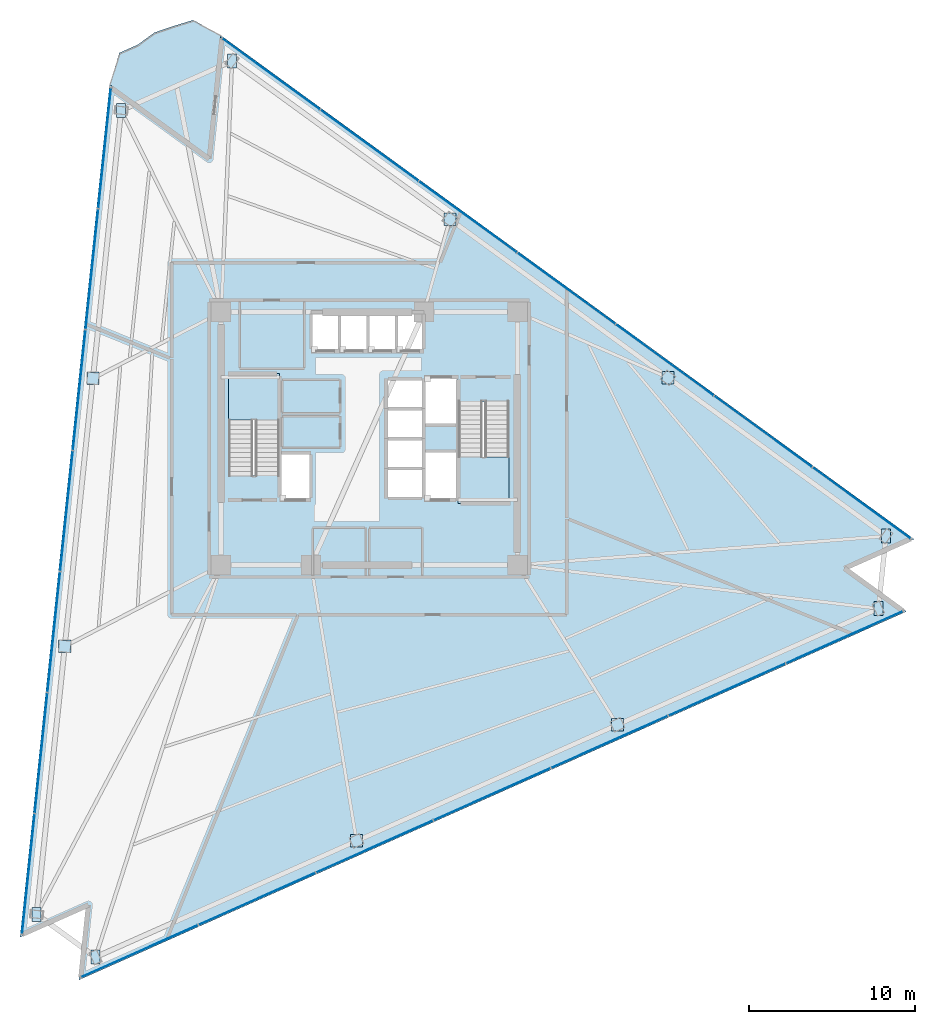
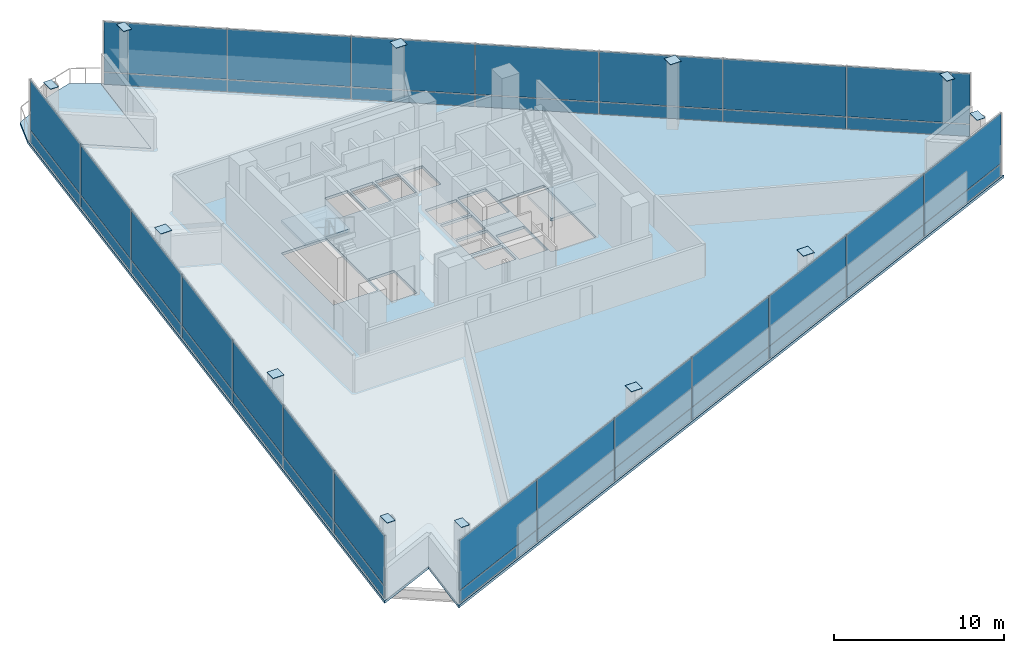
# One storey, part 10 of 18: 54 plates, 4 slabs, 5 elements without a shape of their own.
"""IFC4 building model written with IfcOpenShell, lengths in metres."""

import ifcopenshell
import ifcopenshell.guid

model = None  # the IFC model being written
_history = None  # IfcOwnerHistory: only IFC2X3 demands one
_inside = {}  # id of a spatial element -> (the spatial element, [elements in it])
_under = {}  # id of a project, library or spatial element -> (it, [spatial elements below it])
_declared = {}  # id of a project -> (the project, [libraries it declares])
_typed = {}  # id of a type object -> (the type object, [elements of that type])
_made_of = {}  # id of a material, layer set ... -> (it, [elements and type objects made of it])


def new_model(schema):
    """Start an empty IFC model of exactly this schema.

    Asked for "IFC4X3", IfcOpenShell would pick the latest addendum, in which some entities
    have other attributes; the version numbers below select the first issue.
    IFC2X3 requires an IfcOwnerHistory on every rooted entity: one is made here for all.
    """
    global model, _history
    if schema == "IFC4X3":
        model = ifcopenshell.file(schema_version=(4, 3, 0, 0))
    else:
        model = ifcopenshell.file(schema=schema)
    _inside.clear()
    _under.clear()
    _declared.clear()
    _typed.clear()
    _made_of.clear()
    _history = None
    if model.schema == "IFC2X3":
        org = make("IfcOrganization", Name="unknown")
        user = make(
            "IfcPersonAndOrganization",
            ThePerson=make("IfcPerson", FamilyName="unknown"),
            TheOrganization=org,
        )
        app = make(
            "IfcApplication",
            ApplicationDeveloper=org,
            Version="unknown",
            ApplicationFullName="unknown",
            ApplicationIdentifier="unknown",
        )
        _history = make(
            "IfcOwnerHistory",
            OwningUser=user,
            OwningApplication=app,
            ChangeAction="ADDED",
            CreationDate=0,
        )
    return model


def make(cls, **values):
    """One entity of the class cls with the attributes given. An attribute that is None is left unset."""
    return model.create_entity(
        cls, **{name: value for name, value in values.items() if value is not None}
    )


def rooted(cls, **values):
    """An entity with a GlobalId (a new one), such as an element, a storey or a relation."""
    return make(cls, GlobalId=ifcopenshell.guid.new(), OwnerHistory=_history, **values)


def si_unit(unit_type, name, prefix=None):
    """IfcSIUnit, for example si_unit("LENGTHUNIT", "METRE", prefix="MILLI")."""
    return make("IfcSIUnit", UnitType=unit_type, Prefix=prefix, Name=name)


def assignment(units):
    """IfcUnitAssignment: the units of a project."""
    return None if units is None else make("IfcUnitAssignment", Units=units)


def point(xyz):
    """IfcCartesianPoint."""
    return None if xyz is None else make("IfcCartesianPoint", Coordinates=xyz)


def direction(xyz):
    """IfcDirection."""
    return None if xyz is None else make("IfcDirection", DirectionRatios=xyz)


def frame(location, z_axis=None, x_axis=None):
    """IfcAxis2Placement3D, a coordinate frame: its origin and axes. An axis left out is left unset."""
    return make(
        "IfcAxis2Placement3D",
        Location=point(location),
        Axis=direction(z_axis),
        RefDirection=direction(x_axis),
    )


def frame_2d(location, x_axis=None):
    """IfcAxis2Placement2D, a coordinate frame in the plane: its origin and x axis."""
    return make(
        "IfcAxis2Placement2D", Location=point(location), RefDirection=direction(x_axis)
    )


def origin():
    """The frame at (0, 0, 0) with its axes left unset."""
    return frame((0.0, 0.0, 0.0))


def origin_2d():
    """The frame at (0, 0) in the plane with its x axis left unset."""
    return frame_2d((0.0, 0.0))


def place(relative_to, where):
    """IfcLocalPlacement: puts the frame where relative to a parent placement (None: the world)."""
    return make(
        "IfcLocalPlacement", PlacementRelTo=relative_to, RelativePlacement=where
    )


def context(
    kind, dimensions, precision=None, world=None, true_north=None, identifier=None
):
    """IfcGeometricRepresentationContext, for example the 3D "Model" context."""
    return make(
        "IfcGeometricRepresentationContext",
        ContextIdentifier=identifier,
        ContextType=kind,
        CoordinateSpaceDimension=dimensions,
        Precision=precision,
        WorldCoordinateSystem=world,
        TrueNorth=true_north,
    )


def subcontext(parent, identifier, kind, view, scale=None):
    """IfcGeometricRepresentationSubContext, for example "Body" below "Model"."""
    return make(
        "IfcGeometricRepresentationSubContext",
        ContextIdentifier=identifier,
        ContextType=kind,
        ParentContext=parent,
        TargetScale=scale,
        TargetView=view,
    )


def project(units=None, contexts=None):
    """IfcProject with its units and contexts."""
    return rooted(
        "IfcProject",
        Name="project",
        RepresentationContexts=contexts,
        UnitsInContext=assignment(units),
    )


def spatial(cls, under=None, at=None, **own):
    """A site, building, storey or space (cls), placed at a placement, below another one or the project."""
    s = rooted(cls, ObjectPlacement=at, **own)
    if under is not None:
        _under.setdefault(under.id(), (under, []))[1].append(s)
    return s


def polyline(points):
    """IfcPolyline through the points."""
    return make("IfcPolyline", Points=[point(p) for p in points])


def profile(cls, at=None, kind="AREA", **sizes):
    """A parametric profile (cls). Its sizes go by their IFC names, for example OverallWidth=200.0."""
    return make(cls, ProfileType=kind, Position=at, **sizes)


def rectangle(**sizes):
    """IfcRectangleProfileDef."""
    return profile("IfcRectangleProfileDef", **sizes)


def outline(outer, holes=None, kind="AREA"):
    """IfcArbitraryClosedProfileDef: a profile drawn as a closed curve; with holes, ...WithVoids."""
    if holes is None:
        return make("IfcArbitraryClosedProfileDef", ProfileType=kind, OuterCurve=outer)
    return make(
        "IfcArbitraryProfileDefWithVoids",
        ProfileType=kind,
        OuterCurve=outer,
        InnerCurves=holes,
    )


def extrude(swept, where, along, depth):
    """IfcExtrudedAreaSolid: the profile swept, set in the frame where, extruded along a direction by depth."""
    return make(
        "IfcExtrudedAreaSolid",
        SweptArea=swept,
        Position=where,
        ExtrudedDirection=direction(along),
        Depth=depth,
    )


def shape(context_of_items, identifier, shape_type, items):
    """IfcShapeRepresentation: the items that make up one representation, for example the "Body"."""
    return make(
        "IfcShapeRepresentation",
        ContextOfItems=context_of_items,
        RepresentationIdentifier=identifier,
        RepresentationType=shape_type,
        Items=items,
    )


def material(Name=None, Category=None):
    """IfcMaterial."""
    return make("IfcMaterial", Name=Name, Category=Category)


def layer(
    of_material, thickness, ventilated=None, Name=None, Category=None, Priority=None
):
    """IfcMaterialLayer: one layer of a wall or slab, of a material (None: an air gap)."""
    return make(
        "IfcMaterialLayer",
        Material=of_material,
        LayerThickness=thickness,
        IsVentilated=ventilated,
        Name=Name,
        Category=Category,
        Priority=Priority,
    )


def layer_set(layers, Name=None):
    """IfcMaterialLayerSet."""
    return make("IfcMaterialLayerSet", MaterialLayers=layers, LayerSetName=Name)


def made_of(thing, what):
    """Note that an element or type object is made of a material, layer set ...; save() writes the relation."""
    if what is not None:
        _made_of.setdefault(what.id(), (what, []))[1].append(thing)
    return thing


def type_object(cls, material=None, **own):
    """A type object (cls), such as IfcWallType, which elements share."""
    return made_of(rooted(cls, **own), material)


def element(
    cls,
    number,
    at=None,
    inside=None,
    cuts=None,
    type_object=None,
    material=None,
    context=None,
    identifier="Body",
    shape_type=None,
    held_by="IfcProductDefinitionShape",
    body=None,
    shapes=None,
    **own,
):
    """One element of the class cls, such as IfcWall. Its Tag is "e" and its number.

    at: its placement. inside: the storey or other place that contains it. cuts: it is an
    opening in that element (IfcRelVoidsElement). A single representation is given by context,
    identifier, shape_type and body (its items); several are given by shapes. held_by: the class
    of the entity that holds the representations. save() writes the other relations.
    """
    e = rooted(cls, Tag="e%d" % number, ObjectPlacement=at, **own)
    if body is not None:
        shapes = [shape(context, identifier, shape_type, body)]
    if shapes is not None:
        e.Representation = make(held_by, Representations=shapes)
    if inside is not None:
        _inside.setdefault(inside.id(), (inside, []))[1].append(e)
    if cuts is not None:
        rooted(
            "IfcRelVoidsElement", RelatingBuildingElement=cuts, RelatedOpeningElement=e
        )
    if type_object is not None:
        _typed.setdefault(type_object.id(), (type_object, []))[1].append(e)
    return made_of(e, material)


def aggregate(whole, parts):
    """IfcRelAggregates: a whole, such as a stair, and the parts it consists of."""
    return rooted("IfcRelAggregates", RelatingObject=whole, RelatedObjects=parts)


def save(model, path):
    """Write the relations noted so far, then the file.

    IfcRelAggregates (storeys below a building ...), IfcRelContainedInSpatialStructure (elements
    in a storey), IfcRelDefinesByType, IfcRelAssociatesMaterial and IfcRelDeclares: one each for
    every whole, place, type object, material and project.
    """
    for whole, parts in _under.values():
        aggregate(whole, parts)
    for where, things in _inside.values():
        rooted(
            "IfcRelContainedInSpatialStructure",
            RelatedElements=things,
            RelatingStructure=where,
        )
    for kind, things in _typed.values():
        rooted("IfcRelDefinesByType", RelatedObjects=things, RelatingType=kind)
    for what, things in _made_of.values():
        rooted("IfcRelAssociatesMaterial", RelatedObjects=things, RelatingMaterial=what)
    for by, libraries in _declared.values():
        rooted("IfcRelDeclares", RelatingContext=by, RelatedDefinitions=libraries)
    model.write(path)


model = new_model("IFC4")

# Units and contexts
model_context = context("Model", 3, precision=1e-05, world=origin(), true_north=direction((0.0, 1.0)))
body_context = subcontext(model_context, "Body", "Model", "MODEL_VIEW")
ifc_project = project(units=[si_unit("LENGTHUNIT", "METRE"), si_unit("AREAUNIT", "SQUARE_METRE"), si_unit("VOLUMEUNIT", "CUBIC_METRE"), si_unit("PLANEANGLEUNIT", "RADIAN"), si_unit("MASSUNIT", "GRAM", prefix="KILO")], contexts=[model_context])

# Site, building, storey
site_placement = place(None, origin())
site = spatial("IfcSite", under=ifc_project, at=site_placement, CompositionType="ELEMENT")
building_placement = place(site_placement, origin())
building = spatial("IfcBuilding", under=site, at=building_placement, Name="Tharavind Bronze Gate", CompositionType="ELEMENT")
storey_placement = place(building_placement, frame((0.0, 0.0, 134.050048828125)))
storey = spatial("IfcBuildingStorey", under=building, at=storey_placement, Name="L34", CompositionType="ELEMENT", Elevation=134.050048828125)

# Curtain wall, plates
ifc_material_1 = material(Name="Anodised Bronze Aluminium", Category="aluminium")
ifc_layer_1 = layer(ifc_material_1, 0.219970703125)
ifc_layer_set_1 = layer_set([ifc_layer_1], Name="Anodised Bronze Aluminium")
curtain_wall_type = type_object("IfcCurtainWallType", Name="UNITISED CURTAIN WALL LOWER OFFICE", PredefinedType="USERDEFINED", material=ifc_layer_set_1)
curtain_wall_1_placement = place(storey_placement, origin())
curtain_wall_1 = element("IfcCurtainWall", 1, at=curtain_wall_1_placement, inside=storey, type_object=curtain_wall_type, Name="L34 unitised curtain wall lower office CW-L34-S1", ObjectType="UNITISED CURTAIN WALL", PredefinedType="USERDEFINED")
ifc_material_2 = material(Name="Patinated Bronze Alloy Sheet", Category="bronze")
ifc_layer_2 = layer(ifc_material_2, 0.01611328125)
ifc_layer_set_2 = layer_set([ifc_layer_2], Name="Patinated Bronze Alloy Sheet")
plate_type_1 = type_object("IfcPlateType", Name="BRONZE SPANDREL CLADDING PANEL 16", PredefinedType="CURTAIN_PANEL", material=ifc_layer_set_2)
plate_1_placement = place(storey_placement, frame((-15.909912109375, 17.465087890625, 0.0263671875), z_axis=(0.0, 0.0, 1.0), x_axis=(-0.104526727499, -0.994522077803, 0.0)))
plate_1 = element("IfcPlate", 2, at=plate_1_placement, type_object=plate_type_1, Name="CW-L34-S1 bronze spandrel panel 1", PredefinedType="CURTAIN_PANEL", context=body_context, shape_type="SweptSolid", body=[
    extrude(rectangle(XDim=7.26025390625, YDim=0.01611328125, at=origin_2d()), origin(), (0.0, 0.0, 1.0), 0.846923828125),
])
plate_2_placement = place(storey_placement, frame((-16.67431640625, 10.19189453125, 0.0263671875), z_axis=(0.0, 0.0, 1.0), x_axis=(-0.104526727499, -0.994522077803, 0.0)))
plate_2 = element("IfcPlate", 3, at=plate_2_placement, type_object=plate_type_1, Name="CW-L34-S1 bronze spandrel panel 2", PredefinedType="CURTAIN_PANEL", context=body_context, shape_type="SweptSolid", body=[
    extrude(rectangle(XDim=7.26025390625, YDim=0.01611328125, at=origin_2d()), origin(), (0.0, 0.0, 1.0), 0.846923828125),
])
plate_3_placement = place(storey_placement, frame((-17.438720703125, 2.91845703125, 0.0263671875), z_axis=(0.0, 0.0, 1.0), x_axis=(-0.104526727499, -0.994522077803, 0.0)))
plate_3 = element("IfcPlate", 4, at=plate_3_placement, type_object=plate_type_1, Name="CW-L34-S1 bronze spandrel panel 3", PredefinedType="CURTAIN_PANEL", context=body_context, shape_type="SweptSolid", body=[
    extrude(rectangle(XDim=7.26025390625, YDim=0.01611328125, at=origin_2d()), origin(), (0.0, 0.0, 1.0), 0.846923828125),
])
plate_4_placement = place(storey_placement, frame((-18.203125, -4.354736328125, 0.0263671875), z_axis=(0.0, 0.0, 1.0), x_axis=(-0.104526727499, -0.994522077803, 0.0)))
plate_4 = element("IfcPlate", 5, at=plate_4_placement, type_object=plate_type_1, Name="CW-L34-S1 bronze spandrel panel 4", PredefinedType="CURTAIN_PANEL", context=body_context, shape_type="SweptSolid", body=[
    extrude(rectangle(XDim=7.26025390625, YDim=0.01611328125, at=origin_2d()), origin(), (0.0, 0.0, 1.0), 0.846923828125),
])
plate_5_placement = place(storey_placement, frame((-18.967529296875, -11.628173828125, 0.0263671875), z_axis=(0.0, 0.0, 1.0), x_axis=(-0.104526727499, -0.994522077803, 0.0)))
plate_5 = element("IfcPlate", 6, at=plate_5_placement, type_object=plate_type_1, Name="CW-L34-S1 bronze spandrel panel 5", PredefinedType="CURTAIN_PANEL", context=body_context, shape_type="SweptSolid", body=[
    extrude(rectangle(XDim=7.26025390625, YDim=0.01611328125, at=origin_2d()), origin(), (0.0, 0.0, 1.0), 0.846923828125),
])
plate_6_placement = place(storey_placement, frame((-19.73193359375, -18.9013671875, 0.0263671875), z_axis=(0.0, 0.0, 1.0), x_axis=(-0.104526727499, -0.994522077803, 0.0)))
plate_6 = element("IfcPlate", 7, at=plate_6_placement, type_object=plate_type_1, Name="CW-L34-S1 bronze spandrel panel 6", PredefinedType="CURTAIN_PANEL", context=body_context, shape_type="SweptSolid", body=[
    extrude(rectangle(XDim=7.26025390625, YDim=0.01611328125, at=origin_2d()), origin(), (0.0, 0.0, 1.0), 0.846923828125),
])
plate_7_placement = place(storey_placement, frame((-20.49658203125, -26.1748046875, 0.0263671875), z_axis=(0.0, 0.0, 1.0), x_axis=(-0.104526727499, -0.994522077803, 0.0)))
plate_7 = element("IfcPlate", 8, at=plate_7_placement, type_object=plate_type_1, Name="CW-L34-S1 bronze spandrel panel 7", PredefinedType="CURTAIN_PANEL", context=body_context, shape_type="SweptSolid", body=[
    extrude(rectangle(XDim=7.26025390625, YDim=0.01611328125, at=origin_2d()), origin(), (0.0, 0.0, 1.0), 0.846923828125),
])

curtain_wall_2_placement = place(storey_placement, origin())
curtain_wall_2 = element("IfcCurtainWall", 9, at=curtain_wall_2_placement, inside=storey, type_object=curtain_wall_type, Name="L34 unitised curtain wall lower office CW-L34-S2", ObjectType="UNITISED CURTAIN WALL", PredefinedType="USERDEFINED")
plate_8_placement = place(storey_placement, frame((-13.80419921875, -30.813720703125, 0.0263671875), z_axis=(0.0, 0.0, 1.0), x_axis=(0.913545457643, 0.406736643076, 0.0)))
plate_8 = element("IfcPlate", 10, at=plate_8_placement, type_object=plate_type_1, Name="CW-L34-S2 bronze spandrel panel 1", PredefinedType="CURTAIN_PANEL", context=body_context, shape_type="SweptSolid", body=[
    extrude(rectangle(XDim=7.677490234375, YDim=0.01611328125, at=origin_2d()), origin(), (0.0, 0.0, 1.0), 0.846923828125),
])
plate_9_placement = place(storey_placement, frame((-6.741943359375, -27.66943359375, 0.0263671875), z_axis=(0.0, 0.0, 1.0), x_axis=(0.913545457643, 0.406736643076, 0.0)))
plate_9 = element("IfcPlate", 11, at=plate_9_placement, type_object=plate_type_1, Name="CW-L34-S2 bronze spandrel panel 2", PredefinedType="CURTAIN_PANEL", context=body_context, shape_type="SweptSolid", body=[
    extrude(rectangle(XDim=7.677490234375, YDim=0.01611328125, at=origin_2d()), origin(), (0.0, 0.0, 1.0), 0.846923828125),
])
plate_10_placement = place(storey_placement, frame((0.3203125, -24.525146484375, 0.0263671875), z_axis=(0.0, 0.0, 1.0), x_axis=(0.913545457643, 0.406736643076, 0.0)))
plate_10 = element("IfcPlate", 12, at=plate_10_placement, type_object=plate_type_1, Name="CW-L34-S2 bronze spandrel panel 3", PredefinedType="CURTAIN_PANEL", context=body_context, shape_type="SweptSolid", body=[
    extrude(rectangle(XDim=7.677490234375, YDim=0.01611328125, at=origin_2d()), origin(), (0.0, 0.0, 1.0), 0.846923828125),
])
plate_11_placement = place(storey_placement, frame((7.38232421875, -21.380859375, 0.0263671875), z_axis=(0.0, 0.0, 1.0), x_axis=(0.913545457643, 0.406736643076, 0.0)))
plate_11 = element("IfcPlate", 13, at=plate_11_placement, type_object=plate_type_1, Name="CW-L34-S2 bronze spandrel panel 4", PredefinedType="CURTAIN_PANEL", context=body_context, shape_type="SweptSolid", body=[
    extrude(rectangle(XDim=7.677490234375, YDim=0.01611328125, at=origin_2d()), origin(), (0.0, 0.0, 1.0), 0.846923828125),
])
plate_12_placement = place(storey_placement, frame((14.4443359375, -18.236572265625, 0.0263671875), z_axis=(0.0, 0.0, 1.0), x_axis=(0.913545457643, 0.406736643076, 0.0)))
plate_12 = element("IfcPlate", 14, at=plate_12_placement, type_object=plate_type_1, Name="CW-L34-S2 bronze spandrel panel 5", PredefinedType="CURTAIN_PANEL", context=body_context, shape_type="SweptSolid", body=[
    extrude(rectangle(XDim=7.677490234375, YDim=0.01611328125, at=origin_2d()), origin(), (0.0, 0.0, 1.0), 0.846923828125),
])
plate_13_placement = place(storey_placement, frame((21.506591796875, -15.09228515625, 0.0263671875), z_axis=(0.0, 0.0, 1.0), x_axis=(0.913545457643, 0.406736643076, 0.0)))
plate_13 = element("IfcPlate", 15, at=plate_13_placement, type_object=plate_type_1, Name="CW-L34-S2 bronze spandrel panel 6", PredefinedType="CURTAIN_PANEL", context=body_context, shape_type="SweptSolid", body=[
    extrude(rectangle(XDim=7.677490234375, YDim=0.01611328125, at=origin_2d()), origin(), (0.0, 0.0, 1.0), 0.846923828125),
])
plate_14_placement = place(storey_placement, frame((28.568603515625, -11.947998046875, 0.0263671875), z_axis=(0.0, 0.0, 1.0), x_axis=(0.913545457643, 0.406736643076, 0.0)))
plate_14 = element("IfcPlate", 16, at=plate_14_placement, type_object=plate_type_1, Name="CW-L34-S2 bronze spandrel panel 7", PredefinedType="CURTAIN_PANEL", context=body_context, shape_type="SweptSolid", body=[
    extrude(rectangle(XDim=7.677490234375, YDim=0.01611328125, at=origin_2d()), origin(), (0.0, 0.0, 1.0), 0.846923828125),
])

curtain_wall_3_placement = place(storey_placement, origin())
curtain_wall_3 = element("IfcCurtainWall", 17, at=curtain_wall_3_placement, inside=storey, type_object=curtain_wall_type, Name="L34 unitised curtain wall lower office CW-L34-S3", ObjectType="UNITISED CURTAIN WALL", PredefinedType="USERDEFINED")
plate_15_placement = place(storey_placement, frame((29.599365234375, -3.87060546875, 0.0263671875), z_axis=(0.0, 0.0, 1.0), x_axis=(-0.809016994375, 0.587785252292, 0.0)))
plate_15 = element("IfcPlate", 18, at=plate_15_placement, type_object=plate_type_1, Name="CW-L34-S3 bronze spandrel panel 1", PredefinedType="CURTAIN_PANEL", context=body_context, shape_type="SweptSolid", body=[
    extrude(rectangle(XDim=7.260498046875, YDim=0.01611328125, at=origin_2d()), origin(), (0.0, 0.0, 1.0), 0.846923828125),
])
plate_16_placement = place(storey_placement, frame((23.6826171875, 0.427978515625, 0.0263671875), z_axis=(0.0, 0.0, 1.0), x_axis=(-0.809016994375, 0.587785252292, 0.0)))
plate_16 = element("IfcPlate", 19, at=plate_16_placement, type_object=plate_type_1, Name="CW-L34-S3 bronze spandrel panel 2", PredefinedType="CURTAIN_PANEL", context=body_context, shape_type="SweptSolid", body=[
    extrude(rectangle(XDim=7.260498046875, YDim=0.01611328125, at=origin_2d()), origin(), (0.0, 0.0, 1.0), 0.846923828125),
])
plate_17_placement = place(storey_placement, frame((17.76611328125, 4.726806640625, 0.0263671875), z_axis=(0.0, 0.0, 1.0), x_axis=(-0.809016994375, 0.587785252292, 0.0)))
plate_17 = element("IfcPlate", 20, at=plate_17_placement, type_object=plate_type_1, Name="CW-L34-S3 bronze spandrel panel 3", PredefinedType="CURTAIN_PANEL", context=body_context, shape_type="SweptSolid", body=[
    extrude(rectangle(XDim=7.260498046875, YDim=0.01611328125, at=origin_2d()), origin(), (0.0, 0.0, 1.0), 0.846923828125),
])
plate_18_placement = place(storey_placement, frame((11.849365234375, 9.025390625, 0.0263671875), z_axis=(0.0, 0.0, 1.0), x_axis=(-0.809016994375, 0.587785252292, 0.0)))
plate_18 = element("IfcPlate", 21, at=plate_18_placement, type_object=plate_type_1, Name="CW-L34-S3 bronze spandrel panel 4", PredefinedType="CURTAIN_PANEL", context=body_context, shape_type="SweptSolid", body=[
    extrude(rectangle(XDim=7.260498046875, YDim=0.01611328125, at=origin_2d()), origin(), (0.0, 0.0, 1.0), 0.846923828125),
])
plate_19_placement = place(storey_placement, frame((5.932861328125, 13.32421875, 0.0263671875), z_axis=(0.0, 0.0, 1.0), x_axis=(-0.809016994375, 0.587785252292, 0.0)))
plate_19 = element("IfcPlate", 22, at=plate_19_placement, type_object=plate_type_1, Name="CW-L34-S3 bronze spandrel panel 5", PredefinedType="CURTAIN_PANEL", context=body_context, shape_type="SweptSolid", body=[
    extrude(rectangle(XDim=7.260498046875, YDim=0.01611328125, at=origin_2d()), origin(), (0.0, 0.0, 1.0), 0.846923828125),
])
plate_20_placement = place(storey_placement, frame((0.01611328125, 17.622802734375, 0.0263671875), z_axis=(0.0, 0.0, 1.0), x_axis=(-0.809016994375, 0.587785252292, 0.0)))
plate_20 = element("IfcPlate", 23, at=plate_20_placement, type_object=plate_type_1, Name="CW-L34-S3 bronze spandrel panel 6", PredefinedType="CURTAIN_PANEL", context=body_context, shape_type="SweptSolid", body=[
    extrude(rectangle(XDim=7.260498046875, YDim=0.01611328125, at=origin_2d()), origin(), (0.0, 0.0, 1.0), 0.846923828125),
])
plate_21_placement = place(storey_placement, frame((-5.900390625, 21.921630859375, 0.0263671875), z_axis=(0.0, 0.0, 1.0), x_axis=(-0.809016994375, 0.587785252292, 0.0)))
plate_21 = element("IfcPlate", 24, at=plate_21_placement, type_object=plate_type_1, Name="CW-L34-S3 bronze spandrel panel 7", PredefinedType="CURTAIN_PANEL", context=body_context, shape_type="SweptSolid", body=[
    extrude(rectangle(XDim=7.260498046875, YDim=0.01611328125, at=origin_2d()), origin(), (0.0, 0.0, 1.0), 0.846923828125),
])

# Plate
ifc_material_3 = material(Name="Low-E Double Glazing", Category="glass")
ifc_layer_3 = layer(ifc_material_3, 0.031982421875)
ifc_layer_set_3 = layer_set([ifc_layer_3], Name="Low-E Double Glazing")
plate_type_2 = type_object("IfcPlateType", Name="DOUBLE GLAZED FACADE PANEL 32", PredefinedType="CURTAIN_PANEL", material=ifc_layer_set_3)
plate_22_placement = place(storey_placement, frame((-15.909912109375, 17.465087890625, 0.926513671875), z_axis=(0.0, 0.0, 1.0), x_axis=(-0.104526727499, -0.994522077803, 0.0)))
plate_22 = element("IfcPlate", 25, at=plate_22_placement, type_object=plate_type_2, Name="CW-L34-S1 vision glazing panel 1", PredefinedType="CURTAIN_PANEL", context=body_context, shape_type="SweptSolid", body=[
    extrude(rectangle(XDim=7.26025390625, YDim=0.031982421875, at=origin_2d()), origin(), (0.0, 0.0, 1.0), 3.60693359375),
])

plate_23_placement = place(storey_placement, frame((-16.67431640625, 10.19189453125, 0.926513671875), z_axis=(0.0, 0.0, 1.0), x_axis=(-0.104526727499, -0.994522077803, 0.0)))
plate_23 = element("IfcPlate", 26, at=plate_23_placement, type_object=plate_type_2, Name="CW-L34-S1 vision glazing panel 2", PredefinedType="CURTAIN_PANEL", context=body_context, shape_type="SweptSolid", body=[
    extrude(rectangle(XDim=7.26025390625, YDim=0.031982421875, at=origin_2d()), origin(), (0.0, 0.0, 1.0), 3.60693359375),
])

plate_24_placement = place(storey_placement, frame((-17.438720703125, 2.91845703125, 0.926513671875), z_axis=(0.0, 0.0, 1.0), x_axis=(-0.104526727499, -0.994522077803, 0.0)))
plate_24 = element("IfcPlate", 27, at=plate_24_placement, type_object=plate_type_2, Name="CW-L34-S1 vision glazing panel 3", PredefinedType="CURTAIN_PANEL", context=body_context, shape_type="SweptSolid", body=[
    extrude(rectangle(XDim=7.26025390625, YDim=0.031982421875, at=origin_2d()), origin(), (0.0, 0.0, 1.0), 3.60693359375),
])

plate_25_placement = place(storey_placement, frame((-18.203125, -4.354736328125, 0.926513671875), z_axis=(0.0, 0.0, 1.0), x_axis=(-0.104526727499, -0.994522077803, 0.0)))
plate_25 = element("IfcPlate", 28, at=plate_25_placement, type_object=plate_type_2, Name="CW-L34-S1 vision glazing panel 4", PredefinedType="CURTAIN_PANEL", context=body_context, shape_type="SweptSolid", body=[
    extrude(rectangle(XDim=7.26025390625, YDim=0.031982421875, at=origin_2d()), origin(), (0.0, 0.0, 1.0), 3.60693359375),
])

plate_26_placement = place(storey_placement, frame((-18.967529296875, -11.628173828125, 0.926513671875), z_axis=(0.0, 0.0, 1.0), x_axis=(-0.104526727499, -0.994522077803, 0.0)))
plate_26 = element("IfcPlate", 29, at=plate_26_placement, type_object=plate_type_2, Name="CW-L34-S1 vision glazing panel 5", PredefinedType="CURTAIN_PANEL", context=body_context, shape_type="SweptSolid", body=[
    extrude(rectangle(XDim=7.26025390625, YDim=0.031982421875, at=origin_2d()), origin(), (0.0, 0.0, 1.0), 3.60693359375),
])

plate_27_placement = place(storey_placement, frame((-19.73193359375, -18.9013671875, 0.926513671875), z_axis=(0.0, 0.0, 1.0), x_axis=(-0.104526727499, -0.994522077803, 0.0)))
plate_27 = element("IfcPlate", 30, at=plate_27_placement, type_object=plate_type_2, Name="CW-L34-S1 vision glazing panel 6", PredefinedType="CURTAIN_PANEL", context=body_context, shape_type="SweptSolid", body=[
    extrude(rectangle(XDim=7.26025390625, YDim=0.031982421875, at=origin_2d()), origin(), (0.0, 0.0, 1.0), 3.60693359375),
])

plate_28_placement = place(storey_placement, frame((-20.49658203125, -26.1748046875, 0.926513671875), z_axis=(0.0, 0.0, 1.0), x_axis=(-0.104526727499, -0.994522077803, 0.0)))
plate_28 = element("IfcPlate", 31, at=plate_28_placement, type_object=plate_type_2, Name="CW-L34-S1 vision glazing panel 7", PredefinedType="CURTAIN_PANEL", context=body_context, shape_type="SweptSolid", body=[
    extrude(rectangle(XDim=7.26025390625, YDim=0.031982421875, at=origin_2d()), origin(), (0.0, 0.0, 1.0), 3.60693359375),
])

aggregate(curtain_wall_1, [plate_1, plate_22, plate_2, plate_23, plate_3, plate_24, plate_4, plate_25, plate_5, plate_26, plate_6, plate_27, plate_7, plate_28])

plate_29_placement = place(storey_placement, frame((-13.80419921875, -30.813720703125, 0.926513671875), z_axis=(0.0, 0.0, 1.0), x_axis=(0.913545457643, 0.406736643076, 0.0)))
plate_29 = element("IfcPlate", 32, at=plate_29_placement, type_object=plate_type_2, Name="CW-L34-S2 vision glazing panel 1", PredefinedType="CURTAIN_PANEL", context=body_context, shape_type="SweptSolid", body=[
    extrude(rectangle(XDim=7.677490234375, YDim=0.031982421875, at=origin_2d()), origin(), (0.0, 0.0, 1.0), 3.60693359375),
])

plate_30_placement = place(storey_placement, frame((-6.741943359375, -27.66943359375, 0.926513671875), z_axis=(0.0, 0.0, 1.0), x_axis=(0.913545457643, 0.406736643076, 0.0)))
plate_30 = element("IfcPlate", 33, at=plate_30_placement, type_object=plate_type_2, Name="CW-L34-S2 vision glazing panel 2", PredefinedType="CURTAIN_PANEL", context=body_context, shape_type="SweptSolid", body=[
    extrude(rectangle(XDim=7.677490234375, YDim=0.031982421875, at=origin_2d()), origin(), (0.0, 0.0, 1.0), 3.60693359375),
])

plate_31_placement = place(storey_placement, frame((0.3203125, -24.525146484375, 0.926513671875), z_axis=(0.0, 0.0, 1.0), x_axis=(0.913545457643, 0.406736643076, 0.0)))
plate_31 = element("IfcPlate", 34, at=plate_31_placement, type_object=plate_type_2, Name="CW-L34-S2 vision glazing panel 3", PredefinedType="CURTAIN_PANEL", context=body_context, shape_type="SweptSolid", body=[
    extrude(rectangle(XDim=7.677490234375, YDim=0.031982421875, at=origin_2d()), origin(), (0.0, 0.0, 1.0), 3.60693359375),
])

plate_32_placement = place(storey_placement, frame((7.38232421875, -21.380859375, 0.926513671875), z_axis=(0.0, 0.0, 1.0), x_axis=(0.913545457643, 0.406736643076, 0.0)))
plate_32 = element("IfcPlate", 35, at=plate_32_placement, type_object=plate_type_2, Name="CW-L34-S2 vision glazing panel 4", PredefinedType="CURTAIN_PANEL", context=body_context, shape_type="SweptSolid", body=[
    extrude(rectangle(XDim=7.677490234375, YDim=0.031982421875, at=origin_2d()), origin(), (0.0, 0.0, 1.0), 3.60693359375),
])

plate_33_placement = place(storey_placement, frame((14.4443359375, -18.236572265625, 0.926513671875), z_axis=(0.0, 0.0, 1.0), x_axis=(0.913545457643, 0.406736643076, 0.0)))
plate_33 = element("IfcPlate", 36, at=plate_33_placement, type_object=plate_type_2, Name="CW-L34-S2 vision glazing panel 5", PredefinedType="CURTAIN_PANEL", context=body_context, shape_type="SweptSolid", body=[
    extrude(rectangle(XDim=7.677490234375, YDim=0.031982421875, at=origin_2d()), origin(), (0.0, 0.0, 1.0), 3.60693359375),
])

plate_34_placement = place(storey_placement, frame((21.506591796875, -15.09228515625, 0.926513671875), z_axis=(0.0, 0.0, 1.0), x_axis=(0.913545457643, 0.406736643076, 0.0)))
plate_34 = element("IfcPlate", 37, at=plate_34_placement, type_object=plate_type_2, Name="CW-L34-S2 vision glazing panel 6", PredefinedType="CURTAIN_PANEL", context=body_context, shape_type="SweptSolid", body=[
    extrude(rectangle(XDim=7.677490234375, YDim=0.031982421875, at=origin_2d()), origin(), (0.0, 0.0, 1.0), 3.60693359375),
])

plate_35_placement = place(storey_placement, frame((28.568603515625, -11.947998046875, 0.926513671875), z_axis=(0.0, 0.0, 1.0), x_axis=(0.913545457643, 0.406736643076, 0.0)))
plate_35 = element("IfcPlate", 38, at=plate_35_placement, type_object=plate_type_2, Name="CW-L34-S2 vision glazing panel 7", PredefinedType="CURTAIN_PANEL", context=body_context, shape_type="SweptSolid", body=[
    extrude(rectangle(XDim=7.677490234375, YDim=0.031982421875, at=origin_2d()), origin(), (0.0, 0.0, 1.0), 3.60693359375),
])

aggregate(curtain_wall_2, [plate_8, plate_29, plate_9, plate_30, plate_10, plate_31, plate_11, plate_32, plate_12, plate_33, plate_13, plate_34, plate_14, plate_35])

plate_36_placement = place(storey_placement, frame((29.599365234375, -3.87060546875, 0.926513671875), z_axis=(0.0, 0.0, 1.0), x_axis=(-0.809016994375, 0.587785252292, 0.0)))
plate_36 = element("IfcPlate", 39, at=plate_36_placement, type_object=plate_type_2, Name="CW-L34-S3 vision glazing panel 1", PredefinedType="CURTAIN_PANEL", context=body_context, shape_type="SweptSolid", body=[
    extrude(rectangle(XDim=7.260498046875, YDim=0.031982421875, at=origin_2d()), origin(), (0.0, 0.0, 1.0), 3.60693359375),
])

plate_37_placement = place(storey_placement, frame((23.6826171875, 0.427978515625, 0.926513671875), z_axis=(0.0, 0.0, 1.0), x_axis=(-0.809016994375, 0.587785252292, 0.0)))
plate_37 = element("IfcPlate", 40, at=plate_37_placement, type_object=plate_type_2, Name="CW-L34-S3 vision glazing panel 2", PredefinedType="CURTAIN_PANEL", context=body_context, shape_type="SweptSolid", body=[
    extrude(rectangle(XDim=7.260498046875, YDim=0.031982421875, at=origin_2d()), origin(), (0.0, 0.0, 1.0), 3.60693359375),
])

plate_38_placement = place(storey_placement, frame((17.76611328125, 4.726806640625, 0.926513671875), z_axis=(0.0, 0.0, 1.0), x_axis=(-0.809016994375, 0.587785252292, 0.0)))
plate_38 = element("IfcPlate", 41, at=plate_38_placement, type_object=plate_type_2, Name="CW-L34-S3 vision glazing panel 3", PredefinedType="CURTAIN_PANEL", context=body_context, shape_type="SweptSolid", body=[
    extrude(rectangle(XDim=7.260498046875, YDim=0.031982421875, at=origin_2d()), origin(), (0.0, 0.0, 1.0), 3.60693359375),
])

plate_39_placement = place(storey_placement, frame((11.849365234375, 9.025390625, 0.926513671875), z_axis=(0.0, 0.0, 1.0), x_axis=(-0.809016994375, 0.587785252292, 0.0)))
plate_39 = element("IfcPlate", 42, at=plate_39_placement, type_object=plate_type_2, Name="CW-L34-S3 vision glazing panel 4", PredefinedType="CURTAIN_PANEL", context=body_context, shape_type="SweptSolid", body=[
    extrude(rectangle(XDim=7.260498046875, YDim=0.031982421875, at=origin_2d()), origin(), (0.0, 0.0, 1.0), 3.60693359375),
])

plate_40_placement = place(storey_placement, frame((5.932861328125, 13.32421875, 0.926513671875), z_axis=(0.0, 0.0, 1.0), x_axis=(-0.809016994375, 0.587785252292, 0.0)))
plate_40 = element("IfcPlate", 43, at=plate_40_placement, type_object=plate_type_2, Name="CW-L34-S3 vision glazing panel 5", PredefinedType="CURTAIN_PANEL", context=body_context, shape_type="SweptSolid", body=[
    extrude(rectangle(XDim=7.260498046875, YDim=0.031982421875, at=origin_2d()), origin(), (0.0, 0.0, 1.0), 3.60693359375),
])

plate_41_placement = place(storey_placement, frame((0.01611328125, 17.622802734375, 0.926513671875), z_axis=(0.0, 0.0, 1.0), x_axis=(-0.809016994375, 0.587785252292, 0.0)))
plate_41 = element("IfcPlate", 44, at=plate_41_placement, type_object=plate_type_2, Name="CW-L34-S3 vision glazing panel 6", PredefinedType="CURTAIN_PANEL", context=body_context, shape_type="SweptSolid", body=[
    extrude(rectangle(XDim=7.260498046875, YDim=0.031982421875, at=origin_2d()), origin(), (0.0, 0.0, 1.0), 3.60693359375),
])

plate_42_placement = place(storey_placement, frame((-5.900390625, 21.921630859375, 0.926513671875), z_axis=(0.0, 0.0, 1.0), x_axis=(-0.809016994375, 0.587785252292, 0.0)))
plate_42 = element("IfcPlate", 45, at=plate_42_placement, type_object=plate_type_2, Name="CW-L34-S3 vision glazing panel 7", PredefinedType="CURTAIN_PANEL", context=body_context, shape_type="SweptSolid", body=[
    extrude(rectangle(XDim=7.260498046875, YDim=0.031982421875, at=origin_2d()), origin(), (0.0, 0.0, 1.0), 3.60693359375),
])

aggregate(curtain_wall_3, [plate_15, plate_36, plate_16, plate_37, plate_17, plate_38, plate_18, plate_39, plate_19, plate_40, plate_20, plate_41, plate_21, plate_42])

# Slab
ifc_material_4 = material(Name="Concrete C40/50", Category="concrete")
ifc_layer_4 = layer(ifc_material_4, 0.179931640625)
ifc_layer_set_4 = layer_set([ifc_layer_4], Name="Concrete C40/50")
slab_type_1 = type_object("IfcSlabType", Name="EXTERIOR BALCONY SLAB 180", PredefinedType="FLOOR", material=ifc_layer_set_4)
slab_1_placement = place(storey_placement, frame((0.0, 0.0, -0.179931640625)))
element("IfcSlab", 46, at=slab_1_placement, inside=storey, type_object=slab_type_1, Name="L34 northeast tree balcony slab", PredefinedType="FLOOR", context=body_context, shape_type="SweptSolid", body=[
    extrude(outline(polyline([(-10.579833984375, 25.165283203125), (-11.75146484375, 24.8056640625), (-12.90869140625, 24.413330078125), (-13.914306640625, 23.680908203125), (-15.02587890625, 23.18603515625), (-15.60888671875, 21.284423828125), (-9.703125, 16.99365234375), (-8.940185546875, 24.253662109375), (-10.579833984375, 25.165283203125)])), origin(), (0.0, 0.0, 1.0), 0.179931640625),
])

# Stair, slab
stair_type = type_object("IfcStairType", Name="CORE HALF TURN STAIR 1450", PredefinedType="HALF_TURN_STAIR", material=ifc_material_4)
stair_1_placement = place(storey_placement, origin())
stair_1 = element("IfcStair", 47, at=stair_1_placement, inside=storey, type_object=stair_type, Name="L34 Protected Exit Stair ST1", PredefinedType="HALF_TURN_STAIR")
ifc_layer_5 = layer(ifc_material_4, 0.199951171875)
ifc_layer_set_5 = layer_set([ifc_layer_5], Name="Concrete C40/50")
slab_type_2 = type_object("IfcSlabType", Name="STAIR LANDING SLAB 200", PredefinedType="LANDING", material=ifc_layer_set_5)
slab_2_placement = place(storey_placement, frame((0.0, 0.0, 2.175048828125)))
slab_2 = element("IfcSlab", 48, at=slab_2_placement, type_object=slab_type_2, Name="ST1 landing 1", PredefinedType="LANDING", context=body_context, shape_type="SweptSolid", body=[
    extrude(outline(polyline([(-5.39990234375, 1.110107421875), (-5.39990234375, 3.89990234375), (-8.449951171875, 3.89990234375), (-8.449951171875, 1.110107421875), (-5.39990234375, 1.110107421875)])), origin(), (0.0, 0.0, 1.0), 0.199951171875),
])
aggregate(stair_1, [slab_2])

stair_2_placement = place(storey_placement, origin())
stair_2 = element("IfcStair", 49, at=stair_2_placement, inside=storey, type_object=stair_type, Name="L34 Protected Exit Stair ST2", PredefinedType="HALF_TURN_STAIR")
slab_3_placement = place(storey_placement, frame((0.0, 0.0, 2.175048828125)))
slab_3 = element("IfcSlab", 50, at=slab_3_placement, type_object=slab_type_2, Name="ST2 landing 1", PredefinedType="LANDING", context=body_context, shape_type="SweptSolid", body=[
    extrude(outline(polyline([(5.35009765625, -1.110107421875), (5.35009765625, -3.89990234375), (8.39990234375, -3.89990234375), (8.39990234375, -1.110107421875), (5.35009765625, -1.110107421875)])), origin(), (0.0, 0.0, 1.0), 0.199951171875),
])
aggregate(stair_2, [slab_3])

# Plates
ifc_material_5 = material(Name="Steel S460", Category="steel")
ifc_layer_6 = layer(ifc_material_5, 0.02490234375)
ifc_layer_set_6 = layer_set([ifc_layer_6], Name="Steel S460")
plate_type_3 = type_object("IfcPlateType", Name="STEEL END CAP SHEET 25", PredefinedType="SHEET", material=ifc_layer_set_6)
plate_43_placement = place(storey_placement, frame((-14.91748046875, 19.7314453125, 4.737548828125), z_axis=(0.0, 0.0, 1.0), x_axis=(1.0, 0.0, 0.0)))
element("IfcPlate", 51, at=plate_43_placement, inside=storey, type_object=plate_type_3, Name="Steel end cap plate CAP-COLT-L34-S1C1", PredefinedType="SHEET", context=body_context, shape_type="SweptSolid", body=[
    extrude(rectangle(XDim=0.544921875, YDim=0.844970703125, at=origin_2d()), origin(), (0.0, 0.0, 1.0), 0.02490234375),
])
for number, where, z_axis, x_axis, name in (
    (52, (-16.610595703125, 3.62158203125, 4.737548828125), (0.0, 0.0, 1.0), (1.0, 0.0, 0.0), "Steel end cap plate CAP-COLT-L34-S1C2"),
    (53, (-18.303955078125, -12.488037109375, 4.737548828125), (0.0, 0.0, 1.0), (1.0, 0.0, 0.0), "Steel end cap plate CAP-COLT-L34-S1C3"),
):
    element("IfcPlate", number, at=place(storey_placement, frame(where, z_axis=z_axis, x_axis=x_axis)), inside=storey, type_object=plate_type_3, Name=name, PredefinedType="SHEET", context=body_context, shape_type="SweptSolid", body=[
        extrude(rectangle(XDim=0.7451171875, YDim=0.7451171875, at=origin_2d()), origin(), (0.0, 0.0, 1.0), 0.02490234375),
    ])
for number, where, z_axis, x_axis, name in (
    (54, (-19.9970703125, -28.597900390625, 4.737548828125), (0.0, 0.0, 1.0), (1.0, 0.0, 0.0), "Steel end cap plate CAP-COLT-L34-S1C4"),
    (55, (-16.45361328125, -31.17236328125, 4.737548828125), (0.0, 0.0, 1.0), (1.0, 0.0, 0.0), "Steel end cap plate CAP-COLT-L34-S2C1"),
):
    element("IfcPlate", number, at=place(storey_placement, frame(where, z_axis=z_axis, x_axis=x_axis)), inside=storey, type_object=plate_type_3, Name=name, PredefinedType="SHEET", context=body_context, shape_type="SweptSolid", body=[
        extrude(rectangle(XDim=0.544921875, YDim=0.844970703125, at=origin_2d()), origin(), (0.0, 0.0, 1.0), 0.02490234375),
    ])
for number, where, z_axis, x_axis, name in (
    (56, (-0.766357421875, -24.18798828125, 4.737548828125), (0.0, 0.0, 1.0), (1.0, 0.0, 0.0), "Steel end cap plate CAP-COLT-L34-S2C2"),
    (57, (14.9208984375, -17.20361328125, 4.737548828125), (0.0, 0.0, 1.0), (1.0, 0.0, 0.0), "Steel end cap plate CAP-COLT-L34-S2C3"),
):
    element("IfcPlate", number, at=place(storey_placement, frame(where, z_axis=z_axis, x_axis=x_axis)), inside=storey, type_object=plate_type_3, Name=name, PredefinedType="SHEET", context=body_context, shape_type="SweptSolid", body=[
        extrude(rectangle(XDim=0.7451171875, YDim=0.7451171875, at=origin_2d()), origin(), (0.0, 0.0, 1.0), 0.02490234375),
    ])
for number, where, z_axis, x_axis, name in (
    (58, (30.60791015625, -10.218994140625, 4.737548828125), (0.0, 0.0, 1.0), (1.0, 0.0, 0.0), "Steel end cap plate CAP-COLT-L34-S2C4"),
    (59, (31.06591796875, -5.863037109375, 4.737548828125), (0.0, 0.0, 1.0), (1.0, 0.0, 0.0), "Steel end cap plate CAP-COLT-L34-S3C1"),
):
    element("IfcPlate", number, at=place(storey_placement, frame(where, z_axis=z_axis, x_axis=x_axis)), inside=storey, type_object=plate_type_3, Name=name, PredefinedType="SHEET", context=body_context, shape_type="SweptSolid", body=[
        extrude(rectangle(XDim=0.544921875, YDim=0.844970703125, at=origin_2d()), origin(), (0.0, 0.0, 1.0), 0.02490234375),
    ])
for number, where, z_axis, x_axis, name in (
    (60, (17.961181640625, 3.658203125, 4.737548828125), (0.0, 0.0, 1.0), (1.0, 0.0, 0.0), "Steel end cap plate CAP-COLT-L34-S3C2"),
    (61, (4.856201171875, 13.179443359375, 4.737548828125), (0.0, 0.0, 1.0), (1.0, 0.0, 0.0), "Steel end cap plate CAP-COLT-L34-S3C3"),
):
    element("IfcPlate", number, at=place(storey_placement, frame(where, z_axis=z_axis, x_axis=x_axis)), inside=storey, type_object=plate_type_3, Name=name, PredefinedType="SHEET", context=body_context, shape_type="SweptSolid", body=[
        extrude(rectangle(XDim=0.7451171875, YDim=0.7451171875, at=origin_2d()), origin(), (0.0, 0.0, 1.0), 0.02490234375),
    ])
plate_44_placement = place(storey_placement, frame((-8.24853515625, 22.70068359375, 4.737548828125), z_axis=(0.0, 0.0, 1.0), x_axis=(1.0, 0.0, 0.0)))
element("IfcPlate", 62, at=plate_44_placement, inside=storey, type_object=plate_type_3, Name="Steel end cap plate CAP-COLT-L34-S3C4", PredefinedType="SHEET", context=body_context, shape_type="SweptSolid", body=[
    extrude(rectangle(XDim=0.544921875, YDim=0.844970703125, at=origin_2d()), origin(), (0.0, 0.0, 1.0), 0.02490234375),
])

# Slab
ifc_layer_7 = layer(ifc_material_4, 0.18994140625)
ifc_layer_set_7 = layer_set([ifc_layer_7], Name="Concrete C40/50")
slab_type_3 = type_object("IfcSlabType", Name="STRUCTURAL FLOOR SLAB 190", PredefinedType="FLOOR", material=ifc_layer_set_7)
slab_4_placement = place(storey_placement, frame((0.0, 0.0, -0.18994140625)))
element("IfcSlab", 63, at=slab_4_placement, inside=storey, type_object=slab_type_3, Name="L34 main structural floor slab", PredefinedType="FLOOR", context=body_context, shape_type="SweptSolid", body=[
    extrude(outline(polyline([(-8.940185546875, 24.253662109375), (-9.703125, 16.99365234375), (-15.60888671875, 21.284423828125), (-20.996337890625, -29.97314453125), (-16.9951171875, -28.191650390625), (-17.452880859375, -32.547607421875), (32.298583984375, -10.396728515625), (28.755126953125, -7.822265625), (32.756591796875, -6.040771484375), (-8.940185546875, 24.253662109375)]), holes=[polyline([(-5.39990234375, -2.215087890625), (-5.39990234375, 3.89990234375), (-8.449951171875, 3.89990234375), (-8.449951171875, -2.215087890625), (-5.39990234375, -2.215087890625)]), polyline([(5.35009765625, 2.215087890625), (5.35009765625, -3.89990234375), (8.39990234375, -3.89990234375), (8.39990234375, 2.215087890625), (5.35009765625, 2.215087890625)]), polyline([(-3.419921875, 5.330078125), (-1.867431640625, 5.330078125), (-1.867431640625, 7.52001953125), (-3.419921875, 7.52001953125), (-3.419921875, 5.330078125)]), polyline([(-1.70751953125, 5.330078125), (-0.155029296875, 5.330078125), (-0.155029296875, 7.52001953125), (-1.70751953125, 7.52001953125), (-1.70751953125, 5.330078125)]), polyline([(0.0048828125, 5.330078125), (1.5576171875, 5.330078125), (1.5576171875, 7.52001953125), (0.0048828125, 7.52001953125), (0.0048828125, 5.330078125)]), polyline([(1.717529296875, 5.330078125), (3.199951171875, 5.330078125), (3.199951171875, 7.52001953125), (1.717529296875, 7.52001953125), (1.717529296875, 5.330078125)]), polyline([(1.080078125, -3.52001953125), (3.199951171875, -3.52001953125), (3.199951171875, -1.8798828125), (1.080078125, -1.8798828125), (1.080078125, -3.52001953125)]), polyline([(1.080078125, -1.719970703125), (3.199951171875, -1.719970703125), (3.199951171875, -0.080078125), (1.080078125, -0.080078125), (1.080078125, -1.719970703125)]), polyline([(1.080078125, 0.080078125), (3.199951171875, 0.080078125), (3.199951171875, 1.719970703125), (1.080078125, 1.719970703125), (1.080078125, 0.080078125)]), polyline([(1.080078125, 1.8798828125), (3.199951171875, 1.8798828125), (3.199951171875, 3.52001953125), (1.080078125, 3.52001953125), (1.080078125, 1.8798828125)]), polyline([(-5.320068359375, -3.6201171875), (-3.580078125, -3.6201171875), (-3.580078125, -0.929931640625), (-5.320068359375, -0.929931640625), (-5.320068359375, -3.6201171875)]), polyline([(3.360107421875, 0.8798828125), (5.27001953125, 0.8798828125), (5.27001953125, 3.6201171875), (3.360107421875, 3.6201171875), (3.360107421875, 0.8798828125)]), polyline([(3.360107421875, -3.6201171875), (5.27001953125, -3.6201171875), (5.27001953125, -0.830078125), (3.360107421875, -0.830078125), (3.360107421875, -3.6201171875)])]), origin(), (0.0, 0.0, 1.0), 0.18994140625),
])

save(model, "model.ifc")
